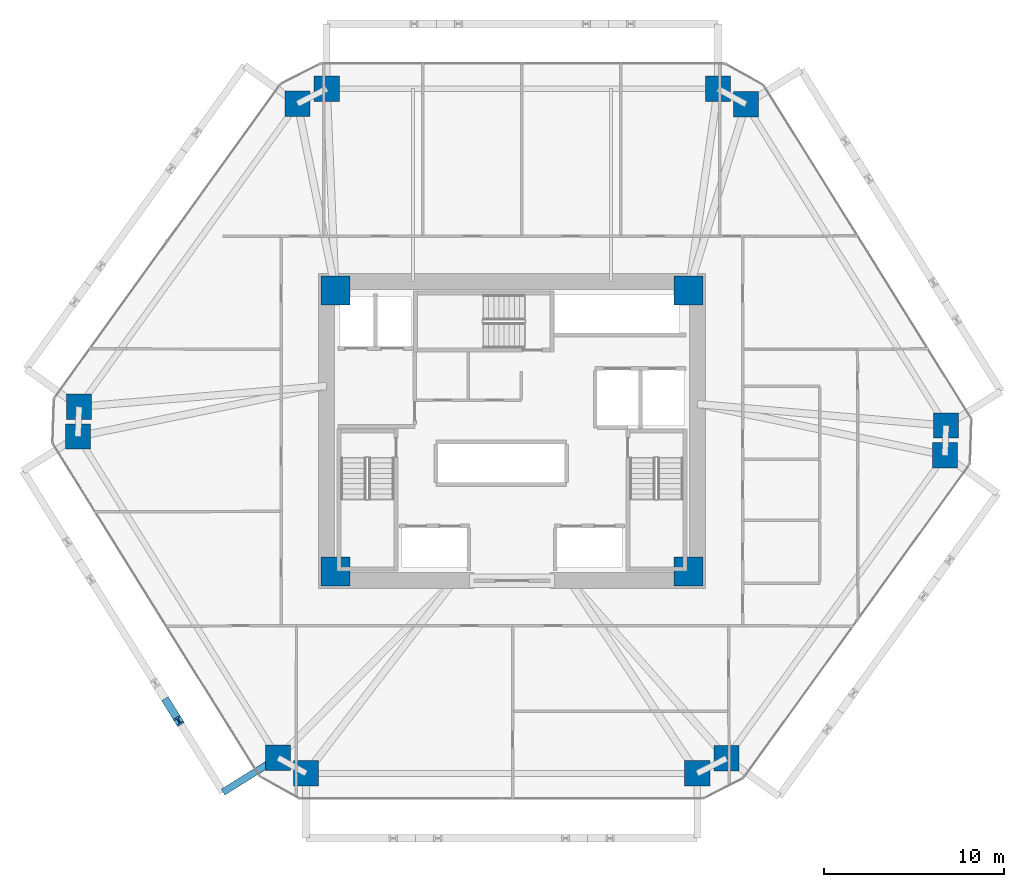
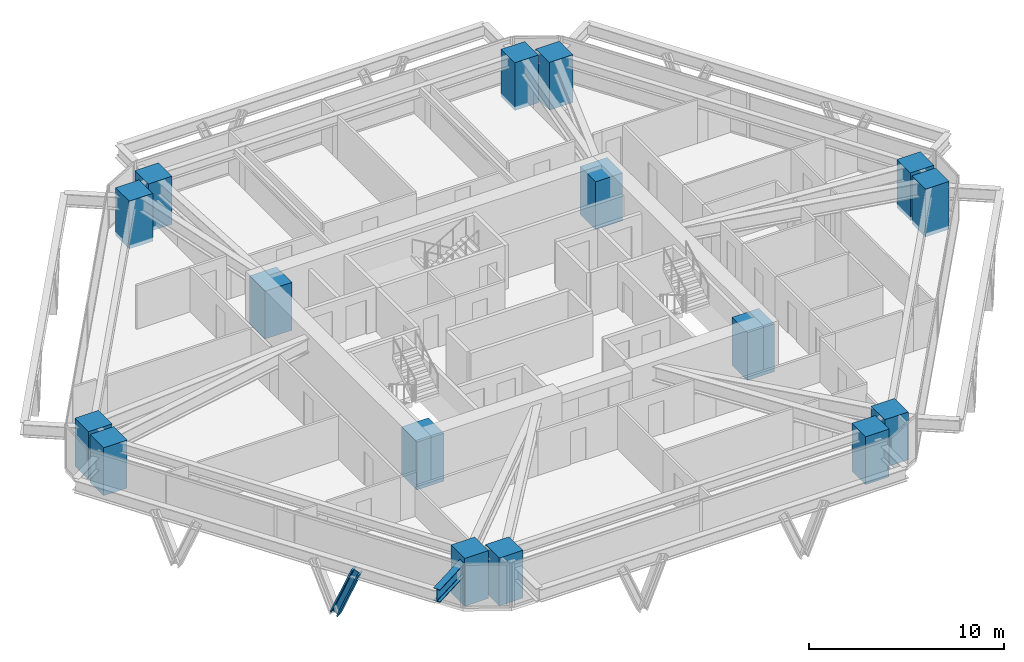
# One storey, part 1 of 15: 16 columns, 1 beam, 1 member.
"""IFC4 building model written with IfcOpenShell, lengths in metres."""

from ifc_helpers import new_model, si_unit, direction, frame, origin, origin_2d, place, context, subcontext, project, spatial, rectangle, i_section, extrude, source, transform, mapped, material, material_profile, profile_set, type_object, type_shapes, element, save


model = new_model("IFC4")

# Units and contexts
model_context = context("Model", 3, precision=1e-05, world=origin(), true_north=direction((0.0, 1.0)))
body_context = subcontext(model_context, "Body", "Model", "MODEL_VIEW")
ifc_project = project(units=[si_unit("LENGTHUNIT", "METRE"), si_unit("AREAUNIT", "SQUARE_METRE"), si_unit("VOLUMEUNIT", "CUBIC_METRE"), si_unit("PLANEANGLEUNIT", "RADIAN"), si_unit("MASSUNIT", "GRAM", prefix="KILO")], contexts=[model_context])

# Site, building, storey
site_placement = place(None, origin())
site = spatial("IfcSite", under=ifc_project, at=site_placement, CompositionType="ELEMENT")
building_placement = place(site_placement, origin())
building = spatial("IfcBuilding", under=site, at=building_placement, Name="Durnholm Broadcast Tower", CompositionType="ELEMENT")
storey_placement = place(building_placement, frame((0.0, 0.0, 75.300048828125)))
storey = spatial("IfcBuildingStorey", under=building, at=storey_placement, Name="L19", CompositionType="ELEMENT", Elevation=75.300048828125)

# Columns
ifc_material_1 = material(Name="Concrete C70/85", Category="concrete")
ifc_material_profile_1 = material_profile(ifc_material_1, rectangle(XDim=1.60009765625, YDim=1.60009765625, at=origin_2d()), Name="RC1600X1600")
ifc_profile_set_1 = profile_set([ifc_material_profile_1], Name="Concrete C70/85")
column_type_1 = type_object("IfcColumnType", Name="COL-CC-1600", PredefinedType="COLUMN", material=ifc_profile_set_1)
shared_shape_1 = source(origin(), body_context, "Body", "SweptSolid", [
    extrude(rectangle(XDim=1.60009765625, YDim=1.60009765625, at=origin_2d()), origin(), (0.0, 0.0, 1.0), 3.0),
])
type_shapes(column_type_1, [shared_shape_1])
for number, where, z_axis, x_axis, name in (
    (1, (-9.800048828125, -7.800048828125, -0.239990234375), (0.0, 0.0, 1.0), (1.0, 0.0, 0.0), "L19 core corner column 1"),
    (2, (9.800048828125, -7.800048828125, -0.239990234375), (0.0, 0.0, 1.0), (1.0, 0.0, 0.0), "L19 core corner column 2"),
    (3, (9.800048828125, 7.800048828125, -0.239990234375), (0.0, 0.0, 1.0), (1.0, 0.0, 0.0), "L19 core corner column 3"),
    (4, (-9.800048828125, 7.800048828125, -0.239990234375), (0.0, 0.0, 1.0), (1.0, 0.0, 0.0), "L19 core corner column 4"),
):
    element("IfcColumn", number, at=place(storey_placement, frame(where, z_axis=z_axis, x_axis=x_axis)), inside=storey, type_object=column_type_1, Name=name, PredefinedType="COLUMN", context=body_context, shape_type="MappedRepresentation", body=[
        mapped(shared_shape_1, transform((0.0, 0.0, 0.0), x_axis=(1.0, 0.0, 0.0), y_axis=(0.0, 1.0, 0.0), z_axis=(0.0, 0.0, 1.0), scale=1.0)),
    ])
ifc_material_profile_2 = material_profile(ifc_material_1, rectangle(XDim=1.39990234375, YDim=1.39990234375, at=origin_2d()), Name="RC1400X1400")
ifc_profile_set_2 = profile_set([ifc_material_profile_2], Name="Concrete C70/85")
column_type_2 = type_object("IfcColumnType", Name="COL-CC-1400", PredefinedType="COLUMN", material=ifc_profile_set_2)
shared_shape_2 = source(origin(), body_context, "Body", "SweptSolid", [
    extrude(rectangle(XDim=1.39990234375, YDim=1.39990234375, at=origin_2d()), origin(), (0.0, 0.0, 1.0), 3.0),
])
type_shapes(column_type_2, [shared_shape_2])
for number, where, z_axis, x_axis, name in (
    (5, (-12.982666015625, -18.138427734375, -0.239990234375), (0.0, 0.0, 1.0), (1.0, 0.0, 0.0), "L19 perimeter hexagonal tube column 01"),
    (6, (-24.0908203125, -0.2998046875, -0.239990234375), (0.0, 0.0, 1.0), (1.0, 0.0, 0.0), "L19 perimeter hexagonal tube column 02"),
    (7, (-24.034912109375, 1.347412109375, -0.239990234375), (0.0, 0.0, 1.0), (1.0, 0.0, 0.0), "L19 perimeter hexagonal tube column 03"),
    (8, (-11.907470703125, 18.16845703125, -0.239990234375), (0.0, 0.0, 1.0), (1.0, 0.0, 0.0), "L19 perimeter hexagonal tube column 04"),
    (9, (-10.28271484375, 19.0, -0.239990234375), (0.0, 0.0, 1.0), (1.0, 0.0, 0.0), "L19 perimeter hexagonal tube column 05"),
    (10, (11.43115234375, 19.0, -0.239990234375), (0.0, 0.0, 1.0), (1.0, 0.0, 0.0), "L19 perimeter hexagonal tube column 06"),
    (11, (12.982666015625, 18.138427734375, -0.239990234375), (0.0, 0.0, 1.0), (1.0, 0.0, 0.0), "L19 perimeter hexagonal tube column 07"),
    (12, (24.0908203125, 0.2998046875, -0.239990234375), (0.0, 0.0, 1.0), (1.0, 0.0, 0.0), "L19 perimeter hexagonal tube column 08"),
    (13, (24.034912109375, -1.347412109375, -0.239990234375), (0.0, 0.0, 1.0), (1.0, 0.0, 0.0), "L19 perimeter hexagonal tube column 09"),
    (14, (11.907470703125, -18.16845703125, -0.239990234375), (0.0, 0.0, 1.0), (1.0, 0.0, 0.0), "L19 perimeter hexagonal tube column 10"),
    (15, (10.28271484375, -19.0, -0.239990234375), (0.0, 0.0, 1.0), (1.0, 0.0, 0.0), "L19 perimeter hexagonal tube column 11"),
    (16, (-11.43115234375, -19.0, -0.239990234375), (0.0, 0.0, 1.0), (1.0, 0.0, 0.0), "L19 perimeter hexagonal tube column 12"),
):
    element("IfcColumn", number, at=place(storey_placement, frame(where, z_axis=z_axis, x_axis=x_axis)), inside=storey, type_object=column_type_2, Name=name, PredefinedType="COLUMN", context=body_context, shape_type="MappedRepresentation", body=[
        mapped(shared_shape_2, transform((0.0, 0.0, 0.0), x_axis=(1.0, 0.0, 0.0), y_axis=(0.0, 1.0, 0.0), z_axis=(0.0, 0.0, 1.0), scale=1.0)),
    ])

# Beam
ifc_material_2 = material(Name="Steel ASTM A992 Grade 50", Category="steel")
ifc_material_profile_3 = material_profile(ifc_material_2, i_section(OverallWidth=0.385009765625, OverallDepth=0.802978515625, WebThickness=0.023681640625, FlangeThickness=0.0419921875, FilletRadius=0.032958984375, at=origin_2d()), Name="W30X261")
ifc_profile_set_3 = profile_set([ifc_material_profile_3], Name="Steel ASTM A992 Grade 50")
beam_type = type_object("IfcBeamType", Name="BM-EXO-TIE", PredefinedType="USERDEFINED", material=ifc_profile_set_3)
shared_shape_3 = source(origin(), body_context, "Body", "SweptSolid", [
    extrude(i_section(OverallWidth=0.385009765625, OverallDepth=0.802978515625, WebThickness=0.023681640625, FlangeThickness=0.0419921875, FilletRadius=0.032958984375, at=origin_2d()), origin(), (0.0, 0.0, 1.0), 3.4560546875),
])
type_shapes(beam_type, [shared_shape_3])
beam_placement = place(storey_placement, frame((-13.10498046875, -18.214599609375, 2.008544921875), z_axis=(-0.848854443891, -0.528626648105, 0.0), x_axis=(0.528626648105, -0.848854443891, 0.0)))
element("IfcBeam", 17, at=beam_placement, inside=storey, type_object=beam_type, Name="L19 exoskeleton stand-off tie bracket F6.2", ObjectType="GIRDER", PredefinedType="USERDEFINED", context=body_context, shape_type="MappedRepresentation", body=[
    mapped(shared_shape_3, transform((0.0, 0.0, 0.0), x_axis=(1.0, 0.0, 0.0), y_axis=(0.0, 1.0, 0.0), z_axis=(0.0, 0.0, 1.0), scale=1.0)),
])

# Member
ifc_material_3 = material(Name="Steel ASTM A913 Grade 65", Category="steel")
ifc_material_profile_4 = material_profile(ifc_material_3, i_section(OverallWidth=0.43212890625, OverallDepth=0.497802734375, WebThickness=0.0556640625, FlangeThickness=0.0888671875, FilletRadius=0.030517578125, at=origin_2d()), Name="W14X500")
ifc_profile_set_4 = profile_set([ifc_material_profile_4], Name="Steel ASTM A913 Grade 65")
member_type = type_object("IfcMemberType", Name="STL-DG-W14X500", PredefinedType="BRACE", material=ifc_profile_set_4)
shared_shape_4 = source(origin(), body_context, "Body", "SweptSolid", [
    extrude(i_section(OverallWidth=0.43212890625, OverallDepth=0.497802734375, WebThickness=0.0556640625, FlangeThickness=0.0888671875, FilletRadius=0.030517578125, at=origin_2d()), origin(), (0.0, 0.0, 1.0), 3.243896484375),
])
type_shapes(member_type, [shared_shape_4])
member_placement = place(storey_placement, frame((-19.14892578125, -15.04638671875, -0.991455078125), z_axis=(0.201029867597, -0.322882116058, 0.9248427604), x_axis=(0.848908635391, 0.528539618911, 0.0)))
element("IfcMember", 18, at=member_placement, inside=storey, type_object=member_type, Name="L19 stand-off diagrid brace F6.D2.2", PredefinedType="BRACE", context=body_context, shape_type="MappedRepresentation", body=[
    mapped(shared_shape_4, transform((0.0, 0.0, 0.0), x_axis=(1.0, 0.0, 0.0), y_axis=(0.0, 1.0, 0.0), z_axis=(0.0, 0.0, 1.0), scale=1.0)),
])

save(model, "model.ifc")
